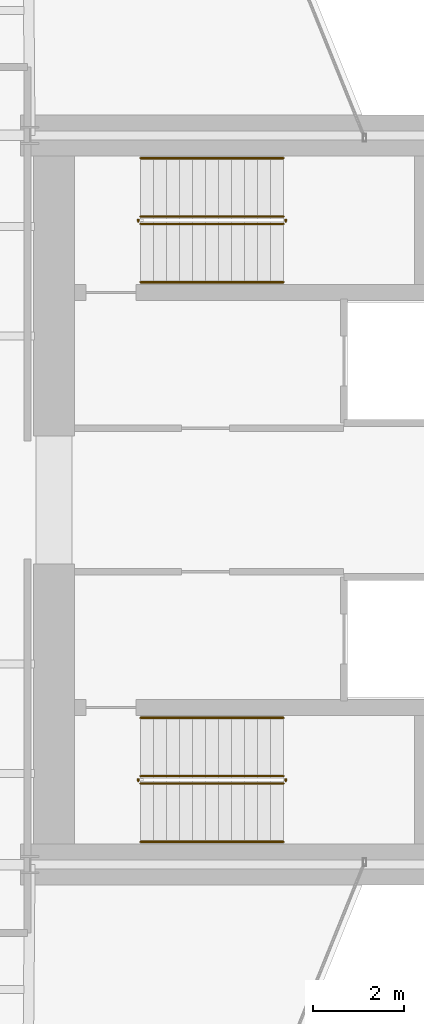
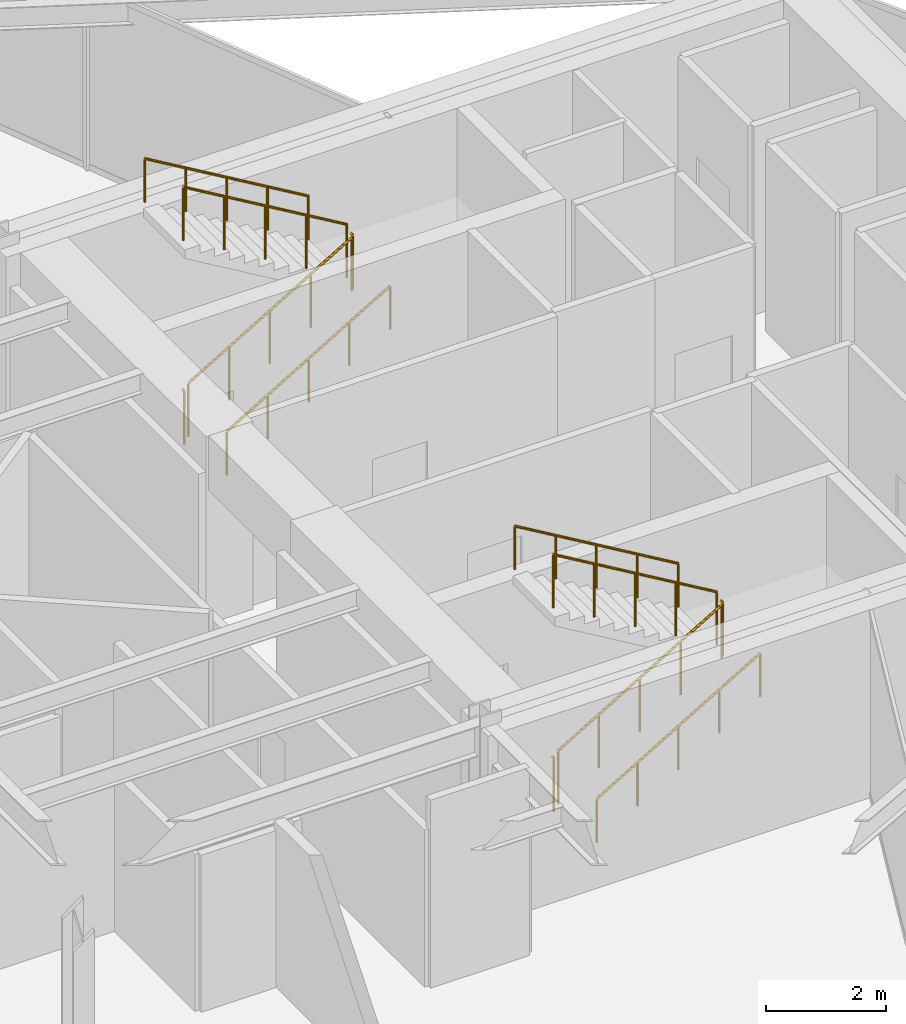
# One storey, part 29 of 29: 12 railings.
"""IFC4 building model written with IfcOpenShell, lengths in metres."""

from ifc_helpers import new_model, si_unit, direction, frame, origin, origin_2d, place, context, subcontext, project, spatial, circle, extrude, material, type_object, element, save


model = new_model("IFC4")

# Units and contexts
model_context = context("Model", 3, precision=1e-05, world=origin(), true_north=direction((0.0, 1.0)))
body_context = subcontext(model_context, "Body", "Model", "MODEL_VIEW")
ifc_project = project(units=[si_unit("LENGTHUNIT", "METRE"), si_unit("AREAUNIT", "SQUARE_METRE"), si_unit("VOLUMEUNIT", "CUBIC_METRE"), si_unit("PLANEANGLEUNIT", "RADIAN"), si_unit("MASSUNIT", "GRAM", prefix="KILO")], contexts=[model_context])

# Site, building, storey
site_placement = place(None, origin())
site = spatial("IfcSite", under=ifc_project, at=site_placement, CompositionType="ELEMENT")
building_placement = place(site_placement, origin())
building = spatial("IfcBuilding", under=site, at=building_placement, Name="Veymaron Broadcast Tower", CompositionType="ELEMENT")
storey_placement = place(building_placement, frame((0.0, 0.0, 62.10009765625)))
storey = spatial("IfcBuildingStorey", under=building, at=storey_placement, Name="L13", CompositionType="ELEMENT", Elevation=62.10009765625)

# Railings
ifc_material_1 = material(Name="Brushed stainless steel AISI 304", Category="steel")
railing_type_1 = type_object("IfcRailingType", Name="RAIL-STAIR-HR", PredefinedType="HANDRAIL", material=ifc_material_1)
railing_1_placement = place(storey_placement, frame((41.429931640625, 28.780029296875, 0.168701171875)))
element("IfcRailing", 1, at=railing_1_placement, inside=storey, type_object=railing_type_1, Name="L13 ST1 stair handrail 1", PredefinedType="HANDRAIL", context=body_context, shape_type="SweptSolid", body=[
    extrude(circle(Radius=0.02392578125, at=origin_2d()), frame((0.0, 0.0, 0.8759765625), z_axis=(0.860481960309, 0.0, 0.509480908359), x_axis=(0.0, 1.0, 0.0)), (0.0, 0.0, 1.0), 3.643310546875),
    extrude(circle(Radius=0.02099609375, at=origin_2d()), origin(), (0.0, 0.0, 1.0), 0.851806640625),
    extrude(circle(Radius=0.02099609375, at=origin_2d()), frame((0.78369140625, 0.0, 0.464111328125)), (0.0, 0.0, 1.0), 0.851806640625),
    extrude(circle(Radius=0.02099609375, at=origin_2d()), frame((1.5673828125, 0.0, 0.92822265625)), (0.0, 0.0, 1.0), 0.851806640625),
    extrude(circle(Radius=0.02099609375, at=origin_2d()), frame((2.351318359375, 0.0, 1.39208984375)), (0.0, 0.0, 1.0), 0.851806640625),
    extrude(circle(Radius=0.02099609375, at=origin_2d()), frame((3.135009765625, 0.0, 1.856201171875)), (0.0, 0.0, 1.0), 0.851806640625),
])
railing_2_placement = place(storey_placement, frame((44.56494140625, 31.5, 2.193603515625)))
element("IfcRailing", 2, at=railing_2_placement, inside=storey, type_object=railing_type_1, Name="L13 ST1 stair handrail 2", PredefinedType="HANDRAIL", context=body_context, shape_type="SweptSolid", body=[
    extrude(circle(Radius=0.02392578125, at=origin_2d()), frame((0.0, 0.0, 0.8759765625), z_axis=(-0.860481960309, 0.0, 0.509480908359), x_axis=(0.0, -1.0, 0.0)), (0.0, 0.0, 1.0), 3.643310546875),
    extrude(circle(Radius=0.02099609375, at=origin_2d()), origin(), (0.0, 0.0, 1.0), 0.851806640625),
    extrude(circle(Radius=0.02099609375, at=origin_2d()), frame((-0.78369140625, 0.0, 0.464111328125)), (0.0, 0.0, 1.0), 0.851806640625),
    extrude(circle(Radius=0.02099609375, at=origin_2d()), frame((-1.5673828125, 0.0, 0.92822265625)), (0.0, 0.0, 1.0), 0.851806640625),
    extrude(circle(Radius=0.02099609375, at=origin_2d()), frame((-2.351318359375, 0.0, 1.39208984375)), (0.0, 0.0, 1.0), 0.851806640625),
    extrude(circle(Radius=0.02099609375, at=origin_2d()), frame((-3.135009765625, 0.0, 1.856201171875)), (0.0, 0.0, 1.0), 0.851806640625),
])
railing_3_placement = place(storey_placement, frame((41.429931640625, 16.5, 0.168701171875)))
element("IfcRailing", 3, at=railing_3_placement, inside=storey, type_object=railing_type_1, Name="L13 ST2 stair handrail 1", PredefinedType="HANDRAIL", context=body_context, shape_type="SweptSolid", body=[
    extrude(circle(Radius=0.02392578125, at=origin_2d()), frame((0.0, 0.0, 0.8759765625), z_axis=(0.860481960309, 0.0, 0.509480908359), x_axis=(0.0, 1.0, 0.0)), (0.0, 0.0, 1.0), 3.643310546875),
    extrude(circle(Radius=0.02099609375, at=origin_2d()), origin(), (0.0, 0.0, 1.0), 0.851806640625),
    extrude(circle(Radius=0.02099609375, at=origin_2d()), frame((0.78369140625, 0.0, 0.464111328125)), (0.0, 0.0, 1.0), 0.851806640625),
    extrude(circle(Radius=0.02099609375, at=origin_2d()), frame((1.5673828125, 0.0, 0.92822265625)), (0.0, 0.0, 1.0), 0.851806640625),
    extrude(circle(Radius=0.02099609375, at=origin_2d()), frame((2.351318359375, 0.0, 1.39208984375)), (0.0, 0.0, 1.0), 0.851806640625),
    extrude(circle(Radius=0.02099609375, at=origin_2d()), frame((3.135009765625, 0.0, 1.856201171875)), (0.0, 0.0, 1.0), 0.851806640625),
])
railing_4_placement = place(storey_placement, frame((44.56494140625, 19.219970703125, 2.193603515625)))
element("IfcRailing", 4, at=railing_4_placement, inside=storey, type_object=railing_type_1, Name="L13 ST2 stair handrail 2", PredefinedType="HANDRAIL", context=body_context, shape_type="SweptSolid", body=[
    extrude(circle(Radius=0.02392578125, at=origin_2d()), frame((0.0, 0.0, 0.8759765625), z_axis=(-0.860481960309, 0.0, 0.509480908359), x_axis=(0.0, -1.0, 0.0)), (0.0, 0.0, 1.0), 3.643310546875),
    extrude(circle(Radius=0.02099609375, at=origin_2d()), origin(), (0.0, 0.0, 1.0), 0.851806640625),
    extrude(circle(Radius=0.02099609375, at=origin_2d()), frame((-0.78369140625, 0.0, 0.464111328125)), (0.0, 0.0, 1.0), 0.851806640625),
    extrude(circle(Radius=0.02099609375, at=origin_2d()), frame((-1.5673828125, 0.0, 0.92822265625)), (0.0, 0.0, 1.0), 0.851806640625),
    extrude(circle(Radius=0.02099609375, at=origin_2d()), frame((-2.351318359375, 0.0, 1.39208984375)), (0.0, 0.0, 1.0), 0.851806640625),
    extrude(circle(Radius=0.02099609375, at=origin_2d()), frame((-3.135009765625, 0.0, 1.856201171875)), (0.0, 0.0, 1.0), 0.851806640625),
])
ifc_material_2 = material(Name="Painted galvanized steel balustrade", Category="steel")
railing_type_2 = type_object("IfcRailingType", Name="RAIL-WELL-GRD", PredefinedType="GUARDRAIL", material=ifc_material_2)
railing_5_placement = place(storey_placement, frame((41.429931640625, 30.06005859375, 0.168701171875)))
element("IfcRailing", 5, at=railing_5_placement, inside=storey, type_object=railing_type_2, Name="L13 ST1 stair guard 1", PredefinedType="GUARDRAIL", context=body_context, shape_type="SweptSolid", body=[
    extrude(circle(Radius=0.02392578125, at=origin_2d()), frame((0.0, 0.0, 1.076171875), z_axis=(0.860481960309, 0.0, 0.509480908359), x_axis=(0.0, 1.0, 0.0)), (0.0, 0.0, 1.0), 3.643310546875),
    extrude(circle(Radius=0.02099609375, at=origin_2d()), origin(), (0.0, 0.0, 1.0), 1.052001953125),
    extrude(circle(Radius=0.02099609375, at=origin_2d()), frame((0.78369140625, 0.0, 0.464111328125)), (0.0, 0.0, 1.0), 1.052001953125),
    extrude(circle(Radius=0.02099609375, at=origin_2d()), frame((1.5673828125, 0.0, 0.92822265625)), (0.0, 0.0, 1.0), 1.052001953125),
    extrude(circle(Radius=0.02099609375, at=origin_2d()), frame((2.351318359375, 0.0, 1.39208984375)), (0.0, 0.0, 1.0), 1.052001953125),
    extrude(circle(Radius=0.02099609375, at=origin_2d()), frame((3.135009765625, 0.0, 1.856201171875)), (0.0, 0.0, 1.0), 1.052001953125),
])
railing_6_placement = place(storey_placement, frame((44.614990234375, 30.110107421875, 2.02490234375)))
element("IfcRailing", 6, at=railing_6_placement, inside=storey, type_object=railing_type_2, Name="L13 ST1 stair guard 2", PredefinedType="GUARDRAIL", context=body_context, shape_type="SweptSolid", body=[
    extrude(circle(Radius=0.02392578125, at=origin_2d()), frame((0.0, 0.0, 1.076171875), z_axis=(0.0, 1.0, 0.0), x_axis=(-1.0, 0.0, 0.0)), (0.0, 0.0, 1.0), 0.059814453125),
    extrude(circle(Radius=0.02099609375, at=origin_2d()), origin(), (0.0, 0.0, 1.0), 1.052001953125),
])
railing_7_placement = place(storey_placement, frame((44.56494140625, 30.219970703125, 2.193603515625)))
element("IfcRailing", 7, at=railing_7_placement, inside=storey, type_object=railing_type_2, Name="L13 ST1 stair guard 3", PredefinedType="GUARDRAIL", context=body_context, shape_type="SweptSolid", body=[
    extrude(circle(Radius=0.02392578125, at=origin_2d()), frame((0.0, 0.0, 1.076171875), z_axis=(-0.860481960309, 0.0, 0.509480908359), x_axis=(0.0, -1.0, 0.0)), (0.0, 0.0, 1.0), 3.643310546875),
    extrude(circle(Radius=0.02099609375, at=origin_2d()), origin(), (0.0, 0.0, 1.0), 1.052001953125),
    extrude(circle(Radius=0.02099609375, at=origin_2d()), frame((-0.78369140625, 0.0, 0.464111328125)), (0.0, 0.0, 1.0), 1.052001953125),
    extrude(circle(Radius=0.02099609375, at=origin_2d()), frame((-1.5673828125, 0.0, 0.92822265625)), (0.0, 0.0, 1.0), 1.052001953125),
    extrude(circle(Radius=0.02099609375, at=origin_2d()), frame((-2.351318359375, 0.0, 1.39208984375)), (0.0, 0.0, 1.0), 1.052001953125),
    extrude(circle(Radius=0.02099609375, at=origin_2d()), frame((-3.135009765625, 0.0, 1.856201171875)), (0.0, 0.0, 1.0), 1.052001953125),
])
railing_8_placement = place(storey_placement, frame((41.3798828125, 30.110107421875, 0.0)))
element("IfcRailing", 8, at=railing_8_placement, inside=storey, type_object=railing_type_2, Name="L13 ST1 stair guard 4", PredefinedType="GUARDRAIL", context=body_context, shape_type="SweptSolid", body=[
    extrude(circle(Radius=0.02392578125, at=origin_2d()), frame((0.0, 0.0, 1.076171875), z_axis=(0.0, 1.0, 0.0), x_axis=(-1.0, 0.0, 0.0)), (0.0, 0.0, 1.0), 0.059814453125),
    extrude(circle(Radius=0.02099609375, at=origin_2d()), origin(), (0.0, 0.0, 1.0), 1.052001953125),
])
railing_9_placement = place(storey_placement, frame((41.429931640625, 17.780029296875, 0.168701171875)))
element("IfcRailing", 9, at=railing_9_placement, inside=storey, type_object=railing_type_2, Name="L13 ST2 stair guard 1", PredefinedType="GUARDRAIL", context=body_context, shape_type="SweptSolid", body=[
    extrude(circle(Radius=0.02392578125, at=origin_2d()), frame((0.0, 0.0, 1.076171875), z_axis=(0.860481960309, 0.0, 0.509480908359), x_axis=(0.0, 1.0, 0.0)), (0.0, 0.0, 1.0), 3.643310546875),
    extrude(circle(Radius=0.02099609375, at=origin_2d()), origin(), (0.0, 0.0, 1.0), 1.052001953125),
    extrude(circle(Radius=0.02099609375, at=origin_2d()), frame((0.78369140625, 0.0, 0.464111328125)), (0.0, 0.0, 1.0), 1.052001953125),
    extrude(circle(Radius=0.02099609375, at=origin_2d()), frame((1.5673828125, 0.0, 0.92822265625)), (0.0, 0.0, 1.0), 1.052001953125),
    extrude(circle(Radius=0.02099609375, at=origin_2d()), frame((2.351318359375, 0.0, 1.39208984375)), (0.0, 0.0, 1.0), 1.052001953125),
    extrude(circle(Radius=0.02099609375, at=origin_2d()), frame((3.135009765625, 0.0, 1.856201171875)), (0.0, 0.0, 1.0), 1.052001953125),
])
railing_10_placement = place(storey_placement, frame((44.614990234375, 17.830078125, 2.02490234375)))
element("IfcRailing", 10, at=railing_10_placement, inside=storey, type_object=railing_type_2, Name="L13 ST2 stair guard 2", PredefinedType="GUARDRAIL", context=body_context, shape_type="SweptSolid", body=[
    extrude(circle(Radius=0.02392578125, at=origin_2d()), frame((0.0, 0.0, 1.076171875), z_axis=(0.0, 1.0, 0.0), x_axis=(-1.0, 0.0, 0.0)), (0.0, 0.0, 1.0), 0.059814453125),
    extrude(circle(Radius=0.02099609375, at=origin_2d()), origin(), (0.0, 0.0, 1.0), 1.052001953125),
])
railing_11_placement = place(storey_placement, frame((44.56494140625, 17.93994140625, 2.193603515625)))
element("IfcRailing", 11, at=railing_11_placement, inside=storey, type_object=railing_type_2, Name="L13 ST2 stair guard 3", PredefinedType="GUARDRAIL", context=body_context, shape_type="SweptSolid", body=[
    extrude(circle(Radius=0.02392578125, at=origin_2d()), frame((0.0, 0.0, 1.076171875), z_axis=(-0.860481960309, 0.0, 0.509480908359), x_axis=(0.0, -1.0, 0.0)), (0.0, 0.0, 1.0), 3.643310546875),
    extrude(circle(Radius=0.02099609375, at=origin_2d()), origin(), (0.0, 0.0, 1.0), 1.052001953125),
    extrude(circle(Radius=0.02099609375, at=origin_2d()), frame((-0.78369140625, 0.0, 0.464111328125)), (0.0, 0.0, 1.0), 1.052001953125),
    extrude(circle(Radius=0.02099609375, at=origin_2d()), frame((-1.5673828125, 0.0, 0.92822265625)), (0.0, 0.0, 1.0), 1.052001953125),
    extrude(circle(Radius=0.02099609375, at=origin_2d()), frame((-2.351318359375, 0.0, 1.39208984375)), (0.0, 0.0, 1.0), 1.052001953125),
    extrude(circle(Radius=0.02099609375, at=origin_2d()), frame((-3.135009765625, 0.0, 1.856201171875)), (0.0, 0.0, 1.0), 1.052001953125),
])
railing_12_placement = place(storey_placement, frame((41.3798828125, 17.830078125, 0.0)))
element("IfcRailing", 12, at=railing_12_placement, inside=storey, type_object=railing_type_2, Name="L13 ST2 stair guard 4", PredefinedType="GUARDRAIL", context=body_context, shape_type="SweptSolid", body=[
    extrude(circle(Radius=0.02392578125, at=origin_2d()), frame((0.0, 0.0, 1.076171875), z_axis=(0.0, 1.0, 0.0), x_axis=(-1.0, 0.0, 0.0)), (0.0, 0.0, 1.0), 0.059814453125),
    extrude(circle(Radius=0.02099609375, at=origin_2d()), origin(), (0.0, 0.0, 1.0), 1.052001953125),
])

save(model, "model.ifc")
